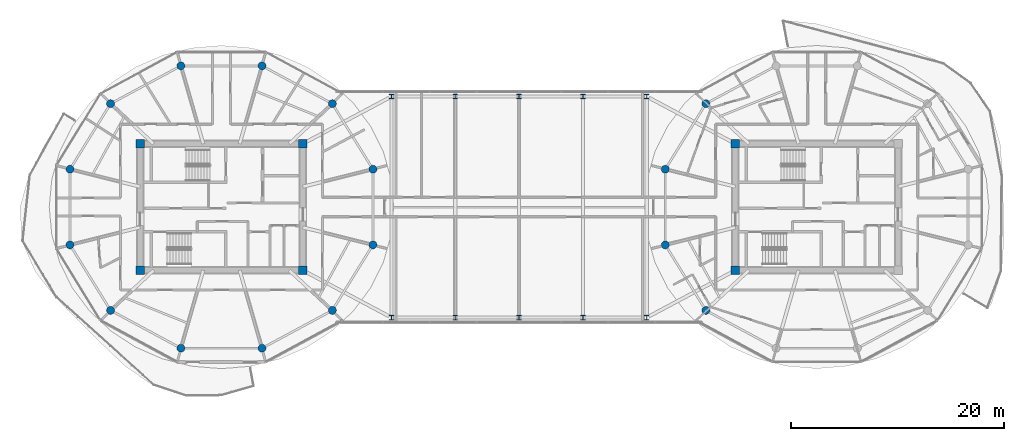
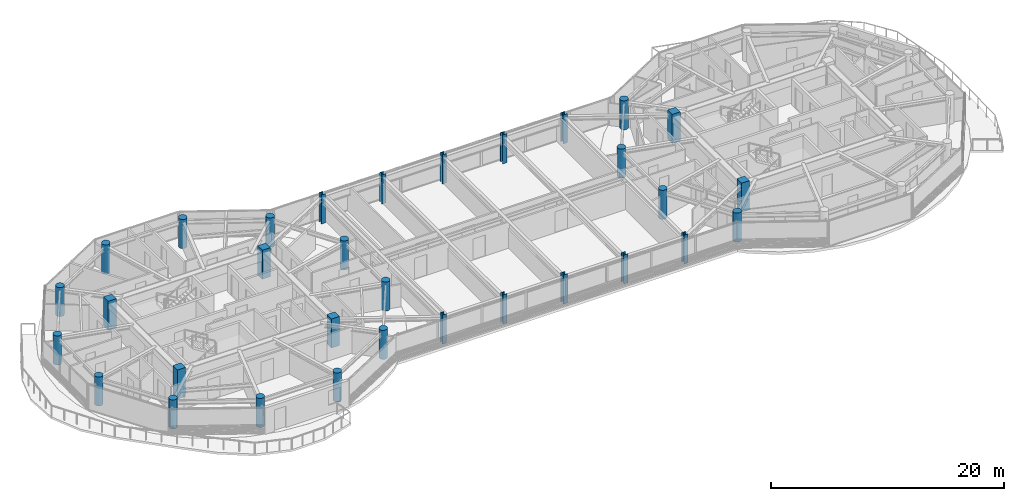
# One storey, part 1 of 24: 32 columns.
"""IFC4 building model written with IfcOpenShell, lengths in metres."""

from ifc_helpers import new_model, si_unit, direction, frame, origin, origin_2d, place, context, subcontext, project, spatial, rectangle, circle, i_section, extrude, source, transform, mapped, material, material_profile, profile_set, type_object, type_shapes, element, save


model = new_model("IFC4")

# Units and contexts
model_context = context("Model", 3, precision=1e-05, world=origin(), true_north=direction((0.0, 1.0)))
body_context = subcontext(model_context, "Body", "Model", "MODEL_VIEW")
ifc_project = project(units=[si_unit("LENGTHUNIT", "METRE"), si_unit("AREAUNIT", "SQUARE_METRE"), si_unit("VOLUMEUNIT", "CUBIC_METRE"), si_unit("PLANEANGLEUNIT", "RADIAN"), si_unit("MASSUNIT", "GRAM", prefix="KILO")], contexts=[model_context])

# Site, building, storey
site_placement = place(None, origin())
site = spatial("IfcSite", under=ifc_project, at=site_placement, CompositionType="ELEMENT")
building_placement = place(site_placement, origin())
building = spatial("IfcBuilding", under=site, at=building_placement, Name="Norrkilde Senior Care Towers", CompositionType="ELEMENT")
storey_placement = place(building_placement, frame((0.0, 0.0, 223.050048828125)))
storey = spatial("IfcBuildingStorey", under=building, at=storey_placement, Name="L69", CompositionType="ELEMENT", Elevation=223.050048828125)

# Columns
ifc_material_1 = material(Name="Concrete C60/75", Category="concrete")
ifc_material_profile_1 = material_profile(ifc_material_1, rectangle(XDim=0.800048828125, YDim=0.800048828125, at=origin_2d()), Name="RC COL 800x800")
ifc_profile_set_1 = profile_set([ifc_material_profile_1], Name="Concrete C60/75")
column_type_1 = type_object("IfcColumnType", Name="Column Core Corner Z3-Z4 800", PredefinedType="COLUMN", material=ifc_profile_set_1)
shared_shape_1 = source(origin(), body_context, "Body", "SweptSolid", [
    extrude(rectangle(XDim=0.800048828125, YDim=0.800048828125, at=origin_2d()), origin(), (0.0, 0.0, 1.0), 3.050048828125),
])
type_shapes(column_type_1, [shared_shape_1])
for number, where, z_axis, x_axis, name in (
    (1, (-35.64990234375, -5.949951171875, 0.0), (0.0, 0.0, 1.0), (1.0, 0.0, 0.0), "L69 Core W Corner Column 1"),
    (2, (-20.35009765625, -5.949951171875, 0.0), (0.0, 0.0, 1.0), (1.0, 0.0, 0.0), "L69 Core W Corner Column 2"),
    (3, (-20.35009765625, 5.949951171875, 0.0), (0.0, 0.0, 1.0), (1.0, 0.0, 0.0), "L69 Core W Corner Column 3"),
    (4, (-35.64990234375, 5.949951171875, 0.0), (0.0, 0.0, 1.0), (1.0, 0.0, 0.0), "L69 Core W Corner Column 4"),
    (5, (20.35009765625, -5.949951171875, 0.0), (0.0, 0.0, 1.0), (1.0, 0.0, 0.0), "L69 Core E Corner Column 1"),
    (6, (20.35009765625, 5.949951171875, 0.0), (0.0, 0.0, 1.0), (1.0, 0.0, 0.0), "L69 Core E Corner Column 4"),
):
    element("IfcColumn", number, at=place(storey_placement, frame(where, z_axis=z_axis, x_axis=x_axis)), inside=storey, type_object=column_type_1, Name=name, PredefinedType="COLUMN", context=body_context, shape_type="MappedRepresentation", body=[
        mapped(shared_shape_1, transform((0.0, 0.0, 0.0), x_axis=(1.0, 0.0, 0.0), y_axis=(0.0, 1.0, 0.0), z_axis=(0.0, 0.0, 1.0), scale=1.0)),
    ])
ifc_material_2 = material(Name="Concrete C50/60", Category="concrete")
ifc_material_profile_2 = material_profile(ifc_material_2, circle(Radius=0.375, at=origin_2d()), Name="RC CIR 750")
ifc_profile_set_2 = profile_set([ifc_material_profile_2], Name="Concrete C50/60")
column_type_2 = type_object("IfcColumnType", Name="Column Perimeter Z4 750", PredefinedType="COLUMN", material=ifc_profile_set_2)
shared_shape_2 = source(origin(), body_context, "Body", "SweptSolid", [
    extrude(circle(Radius=0.375, at=origin_2d()), origin(), (0.0, 0.0, 1.0), 3.050048828125),
])
type_shapes(column_type_2, [shared_shape_2])
for number, where, z_axis, x_axis, name in (
    (7, (-13.752685546875, 3.558837890625, 0.0), (0.0, 0.0, 1.0), (1.0, 0.0, 0.0), "L69 Drum W Perimeter Column 01"),
    (8, (-17.570068359375, 9.72265625, 0.0), (0.0, 0.0, 1.0), (1.0, 0.0, 0.0), "L69 Drum W Perimeter Column 02"),
    (9, (-24.182373046875, 13.281494140625, 0.0), (0.0, 0.0, 1.0), (1.0, 0.0, 0.0), "L69 Drum W Perimeter Column 03"),
    (10, (-31.817626953125, 13.281494140625, 0.0), (0.0, 0.0, 1.0), (1.0, 0.0, 0.0), "L69 Drum W Perimeter Column 04"),
    (11, (-38.429931640625, 9.72265625, 0.0), (0.0, 0.0, 1.0), (1.0, 0.0, 0.0), "L69 Drum W Perimeter Column 05"),
    (12, (-42.247314453125, 3.558837890625, 0.0), (0.0, 0.0, 1.0), (1.0, 0.0, 0.0), "L69 Drum W Perimeter Column 06"),
    (13, (-42.247314453125, -3.558837890625, 0.0), (0.0, 0.0, 1.0), (1.0, 0.0, 0.0), "L69 Drum W Perimeter Column 07"),
    (14, (-38.429931640625, -9.72265625, 0.0), (0.0, 0.0, 1.0), (1.0, 0.0, 0.0), "L69 Drum W Perimeter Column 08"),
    (15, (-31.817626953125, -13.281494140625, 0.0), (0.0, 0.0, 1.0), (1.0, 0.0, 0.0), "L69 Drum W Perimeter Column 09"),
    (16, (-24.182373046875, -13.281494140625, 0.0), (0.0, 0.0, 1.0), (1.0, 0.0, 0.0), "L69 Drum W Perimeter Column 10"),
    (17, (-17.570068359375, -9.72265625, 0.0), (0.0, 0.0, 1.0), (1.0, 0.0, 0.0), "L69 Drum W Perimeter Column 11"),
    (18, (-13.752685546875, -3.558837890625, 0.0), (0.0, 0.0, 1.0), (1.0, 0.0, 0.0), "L69 Drum W Perimeter Column 12"),
    (19, (17.570068359375, 9.72265625, 0.0), (0.0, 0.0, 1.0), (1.0, 0.0, 0.0), "L69 Drum E Perimeter Column 05"),
    (20, (13.752685546875, 3.558837890625, 0.0), (0.0, 0.0, 1.0), (1.0, 0.0, 0.0), "L69 Drum E Perimeter Column 06"),
    (21, (13.752685546875, -3.558837890625, 0.0), (0.0, 0.0, 1.0), (1.0, 0.0, 0.0), "L69 Drum E Perimeter Column 07"),
    (22, (17.570068359375, -9.72265625, 0.0), (0.0, 0.0, 1.0), (1.0, 0.0, 0.0), "L69 Drum E Perimeter Column 08"),
):
    element("IfcColumn", number, at=place(storey_placement, frame(where, z_axis=z_axis, x_axis=x_axis)), inside=storey, type_object=column_type_2, Name=name, PredefinedType="COLUMN", context=body_context, shape_type="MappedRepresentation", body=[
        mapped(shared_shape_2, transform((0.0, 0.0, 0.0), x_axis=(1.0, 0.0, 0.0), y_axis=(0.0, 1.0, 0.0), z_axis=(0.0, 0.0, 1.0), scale=1.0)),
    ])
ifc_material_3 = material(Name="Steel S355", Category="steel")
ifc_material_profile_3 = material_profile(ifc_material_3, i_section(OverallWidth=0.406982421875, OverallDepth=0.43505859375, WebThickness=0.02392578125, FlangeThickness=0.0390625, FilletRadius=0.014892578125, at=origin_2d()), Name="HD 400x421")
ifc_profile_set_3 = profile_set([ifc_material_profile_3], Name="Steel S355")
column_type_3 = type_object("IfcColumnType", Name="Column Bridge Frame HD400", PredefinedType="COLUMN", material=ifc_profile_set_3)
shared_shape_3 = source(origin(), body_context, "Body", "SweptSolid", [
    extrude(i_section(OverallWidth=0.406982421875, OverallDepth=0.43505859375, WebThickness=0.02392578125, FlangeThickness=0.0390625, FilletRadius=0.014892578125, at=origin_2d()), origin(), (0.0, 0.0, 1.0), 3.050048828125),
])
type_shapes(column_type_3, [shared_shape_3])
for number, where, z_axis, x_axis, name in (
    (23, (-12.0, -10.39990234375, 0.0), (0.0, 0.0, 1.0), (1.0, 0.0, 0.0), "L69 Sky-Gate Bridge Column -12.1"),
    (24, (-12.0, 10.39990234375, 0.0), (0.0, 0.0, 1.0), (1.0, 0.0, 0.0), "L69 Sky-Gate Bridge Column -12.2"),
    (25, (-6.0, -10.39990234375, 0.0), (0.0, 0.0, 1.0), (1.0, 0.0, 0.0), "L69 Sky-Gate Bridge Column -6.1"),
    (26, (-6.0, 10.39990234375, 0.0), (0.0, 0.0, 1.0), (1.0, 0.0, 0.0), "L69 Sky-Gate Bridge Column -6.2"),
    (27, (0.0, -10.39990234375, 0.0), (0.0, 0.0, 1.0), (1.0, 0.0, 0.0), "L69 Sky-Gate Bridge Column +0.1"),
    (28, (0.0, 10.39990234375, 0.0), (0.0, 0.0, 1.0), (1.0, 0.0, 0.0), "L69 Sky-Gate Bridge Column +0.2"),
    (29, (6.0, -10.39990234375, 0.0), (0.0, 0.0, 1.0), (1.0, 0.0, 0.0), "L69 Sky-Gate Bridge Column +6.1"),
    (30, (6.0, 10.39990234375, 0.0), (0.0, 0.0, 1.0), (1.0, 0.0, 0.0), "L69 Sky-Gate Bridge Column +6.2"),
    (31, (12.0, -10.39990234375, 0.0), (0.0, 0.0, 1.0), (1.0, 0.0, 0.0), "L69 Sky-Gate Bridge Column +12.1"),
    (32, (12.0, 10.39990234375, 0.0), (0.0, 0.0, 1.0), (1.0, 0.0, 0.0), "L69 Sky-Gate Bridge Column +12.2"),
):
    element("IfcColumn", number, at=place(storey_placement, frame(where, z_axis=z_axis, x_axis=x_axis)), inside=storey, type_object=column_type_3, Name=name, PredefinedType="COLUMN", context=body_context, shape_type="MappedRepresentation", body=[
        mapped(shared_shape_3, transform((0.0, 0.0, 0.0), x_axis=(1.0, 0.0, 0.0), y_axis=(0.0, 1.0, 0.0), z_axis=(0.0, 0.0, 1.0), scale=1.0)),
    ])

save(model, "model.ifc")
